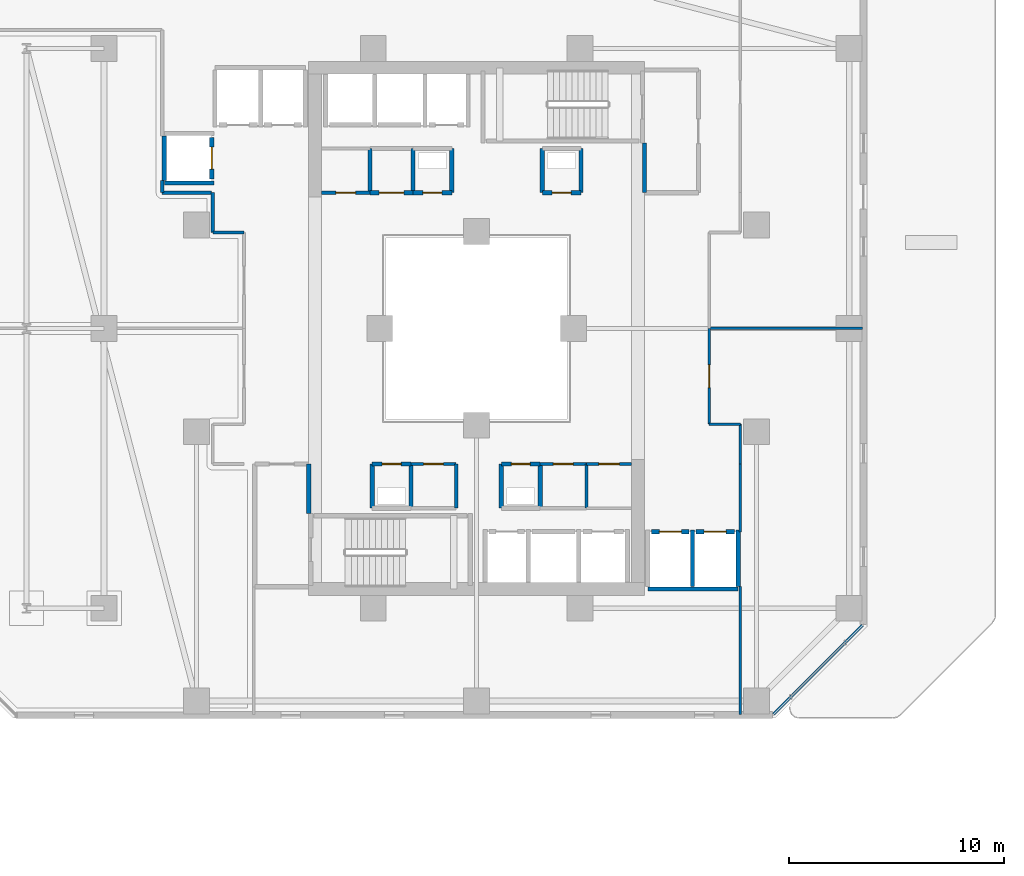
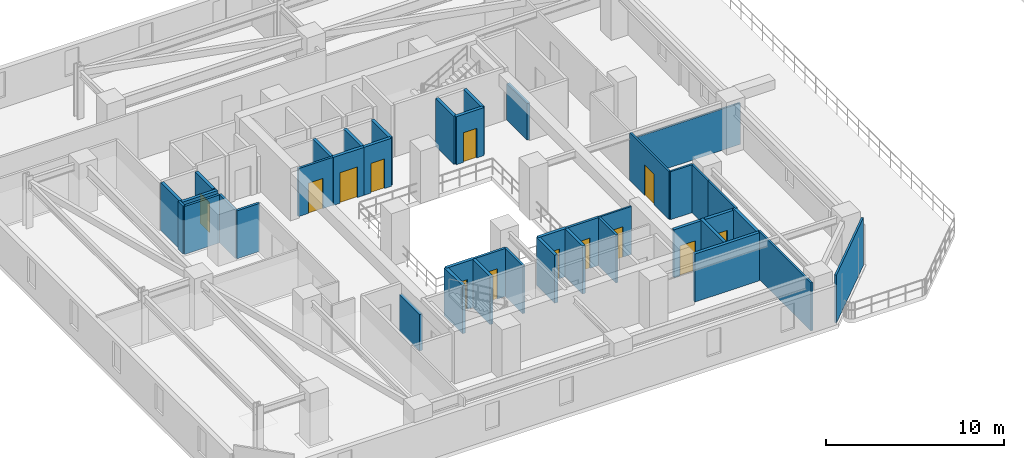
# One storey, part 21 of 33: 41 walls, 13 doors, 13 openings.
"""IFC4 building model written with IfcOpenShell, lengths in metres."""

import ifcopenshell
import ifcopenshell.guid

model = None  # the IFC model being written
_history = None  # IfcOwnerHistory: only IFC2X3 demands one
_inside = {}  # id of a spatial element -> (the spatial element, [elements in it])
_under = {}  # id of a project, library or spatial element -> (it, [spatial elements below it])
_declared = {}  # id of a project -> (the project, [libraries it declares])
_typed = {}  # id of a type object -> (the type object, [elements of that type])
_made_of = {}  # id of a material, layer set ... -> (it, [elements and type objects made of it])


def new_model(schema):
    """Start an empty IFC model of exactly this schema.

    Asked for "IFC4X3", IfcOpenShell would pick the latest addendum, in which some entities
    have other attributes; the version numbers below select the first issue.
    IFC2X3 requires an IfcOwnerHistory on every rooted entity: one is made here for all.
    """
    global model, _history
    if schema == "IFC4X3":
        model = ifcopenshell.file(schema_version=(4, 3, 0, 0))
    else:
        model = ifcopenshell.file(schema=schema)
    _inside.clear()
    _under.clear()
    _declared.clear()
    _typed.clear()
    _made_of.clear()
    _history = None
    if model.schema == "IFC2X3":
        org = make("IfcOrganization", Name="unknown")
        user = make(
            "IfcPersonAndOrganization",
            ThePerson=make("IfcPerson", FamilyName="unknown"),
            TheOrganization=org,
        )
        app = make(
            "IfcApplication",
            ApplicationDeveloper=org,
            Version="unknown",
            ApplicationFullName="unknown",
            ApplicationIdentifier="unknown",
        )
        _history = make(
            "IfcOwnerHistory",
            OwningUser=user,
            OwningApplication=app,
            ChangeAction="ADDED",
            CreationDate=0,
        )
    return model


def make(cls, **values):
    """One entity of the class cls with the attributes given. An attribute that is None is left unset."""
    return model.create_entity(
        cls, **{name: value for name, value in values.items() if value is not None}
    )


def rooted(cls, **values):
    """An entity with a GlobalId (a new one), such as an element, a storey or a relation."""
    return make(cls, GlobalId=ifcopenshell.guid.new(), OwnerHistory=_history, **values)


def si_unit(unit_type, name, prefix=None):
    """IfcSIUnit, for example si_unit("LENGTHUNIT", "METRE", prefix="MILLI")."""
    return make("IfcSIUnit", UnitType=unit_type, Prefix=prefix, Name=name)


def assignment(units):
    """IfcUnitAssignment: the units of a project."""
    return None if units is None else make("IfcUnitAssignment", Units=units)


def point(xyz):
    """IfcCartesianPoint."""
    return None if xyz is None else make("IfcCartesianPoint", Coordinates=xyz)


def direction(xyz):
    """IfcDirection."""
    return None if xyz is None else make("IfcDirection", DirectionRatios=xyz)


def frame(location, z_axis=None, x_axis=None):
    """IfcAxis2Placement3D, a coordinate frame: its origin and axes. An axis left out is left unset."""
    return make(
        "IfcAxis2Placement3D",
        Location=point(location),
        Axis=direction(z_axis),
        RefDirection=direction(x_axis),
    )


def frame_2d(location, x_axis=None):
    """IfcAxis2Placement2D, a coordinate frame in the plane: its origin and x axis."""
    return make(
        "IfcAxis2Placement2D", Location=point(location), RefDirection=direction(x_axis)
    )


def origin():
    """The frame at (0, 0, 0) with its axes left unset."""
    return frame((0.0, 0.0, 0.0))


def place(relative_to, where):
    """IfcLocalPlacement: puts the frame where relative to a parent placement (None: the world)."""
    return make(
        "IfcLocalPlacement", PlacementRelTo=relative_to, RelativePlacement=where
    )


def context(
    kind, dimensions, precision=None, world=None, true_north=None, identifier=None
):
    """IfcGeometricRepresentationContext, for example the 3D "Model" context."""
    return make(
        "IfcGeometricRepresentationContext",
        ContextIdentifier=identifier,
        ContextType=kind,
        CoordinateSpaceDimension=dimensions,
        Precision=precision,
        WorldCoordinateSystem=world,
        TrueNorth=true_north,
    )


def subcontext(parent, identifier, kind, view, scale=None):
    """IfcGeometricRepresentationSubContext, for example "Body" below "Model"."""
    return make(
        "IfcGeometricRepresentationSubContext",
        ContextIdentifier=identifier,
        ContextType=kind,
        ParentContext=parent,
        TargetScale=scale,
        TargetView=view,
    )


def project(units=None, contexts=None):
    """IfcProject with its units and contexts."""
    return rooted(
        "IfcProject",
        Name="project",
        RepresentationContexts=contexts,
        UnitsInContext=assignment(units),
    )


def spatial(cls, under=None, at=None, **own):
    """A site, building, storey or space (cls), placed at a placement, below another one or the project."""
    s = rooted(cls, ObjectPlacement=at, **own)
    if under is not None:
        _under.setdefault(under.id(), (under, []))[1].append(s)
    return s


def profile(cls, at=None, kind="AREA", **sizes):
    """A parametric profile (cls). Its sizes go by their IFC names, for example OverallWidth=200.0."""
    return make(cls, ProfileType=kind, Position=at, **sizes)


def rectangle(**sizes):
    """IfcRectangleProfileDef."""
    return profile("IfcRectangleProfileDef", **sizes)


def extrude(swept, where, along, depth):
    """IfcExtrudedAreaSolid: the profile swept, set in the frame where, extruded along a direction by depth."""
    return make(
        "IfcExtrudedAreaSolid",
        SweptArea=swept,
        Position=where,
        ExtrudedDirection=direction(along),
        Depth=depth,
    )


def shape(context_of_items, identifier, shape_type, items):
    """IfcShapeRepresentation: the items that make up one representation, for example the "Body"."""
    return make(
        "IfcShapeRepresentation",
        ContextOfItems=context_of_items,
        RepresentationIdentifier=identifier,
        RepresentationType=shape_type,
        Items=items,
    )


def material(Name=None, Category=None):
    """IfcMaterial."""
    return make("IfcMaterial", Name=Name, Category=Category)


def layer(
    of_material, thickness, ventilated=None, Name=None, Category=None, Priority=None
):
    """IfcMaterialLayer: one layer of a wall or slab, of a material (None: an air gap)."""
    return make(
        "IfcMaterialLayer",
        Material=of_material,
        LayerThickness=thickness,
        IsVentilated=ventilated,
        Name=Name,
        Category=Category,
        Priority=Priority,
    )


def layer_set(layers, Name=None):
    """IfcMaterialLayerSet."""
    return make("IfcMaterialLayerSet", MaterialLayers=layers, LayerSetName=Name)


def made_of(thing, what):
    """Note that an element or type object is made of a material, layer set ...; save() writes the relation."""
    if what is not None:
        _made_of.setdefault(what.id(), (what, []))[1].append(thing)
    return thing


def type_object(cls, material=None, **own):
    """A type object (cls), such as IfcWallType, which elements share."""
    return made_of(rooted(cls, **own), material)


def element(
    cls,
    number,
    at=None,
    inside=None,
    cuts=None,
    type_object=None,
    material=None,
    context=None,
    identifier="Body",
    shape_type=None,
    held_by="IfcProductDefinitionShape",
    body=None,
    shapes=None,
    **own,
):
    """One element of the class cls, such as IfcWall. Its Tag is "e" and its number.

    at: its placement. inside: the storey or other place that contains it. cuts: it is an
    opening in that element (IfcRelVoidsElement). A single representation is given by context,
    identifier, shape_type and body (its items); several are given by shapes. held_by: the class
    of the entity that holds the representations. save() writes the other relations.
    """
    e = rooted(cls, Tag="e%d" % number, ObjectPlacement=at, **own)
    if body is not None:
        shapes = [shape(context, identifier, shape_type, body)]
    if shapes is not None:
        e.Representation = make(held_by, Representations=shapes)
    if inside is not None:
        _inside.setdefault(inside.id(), (inside, []))[1].append(e)
    if cuts is not None:
        rooted(
            "IfcRelVoidsElement", RelatingBuildingElement=cuts, RelatedOpeningElement=e
        )
    if type_object is not None:
        _typed.setdefault(type_object.id(), (type_object, []))[1].append(e)
    return made_of(e, material)


def fill(opening, filler):
    """IfcRelFillsElement: the door or window that sits in an opening."""
    return rooted(
        "IfcRelFillsElement",
        RelatingOpeningElement=opening,
        RelatedBuildingElement=filler,
    )


def aggregate(whole, parts):
    """IfcRelAggregates: a whole, such as a stair, and the parts it consists of."""
    return rooted("IfcRelAggregates", RelatingObject=whole, RelatedObjects=parts)


def save(model, path):
    """Write the relations noted so far, then the file.

    IfcRelAggregates (storeys below a building ...), IfcRelContainedInSpatialStructure (elements
    in a storey), IfcRelDefinesByType, IfcRelAssociatesMaterial and IfcRelDeclares: one each for
    every whole, place, type object, material and project.
    """
    for whole, parts in _under.values():
        aggregate(whole, parts)
    for where, things in _inside.values():
        rooted(
            "IfcRelContainedInSpatialStructure",
            RelatedElements=things,
            RelatingStructure=where,
        )
    for kind, things in _typed.values():
        rooted("IfcRelDefinesByType", RelatedObjects=things, RelatingType=kind)
    for what, things in _made_of.values():
        rooted("IfcRelAssociatesMaterial", RelatedObjects=things, RelatingMaterial=what)
    for by, libraries in _declared.values():
        rooted("IfcRelDeclares", RelatingContext=by, RelatedDefinitions=libraries)
    model.write(path)


model = new_model("IFC4")

# Units and contexts
model_context = context("Model", 3, precision=1e-05, world=origin(), true_north=direction((0.0, 1.0)))
body_context = subcontext(model_context, "Body", "Model", "MODEL_VIEW")
ifc_project = project(units=[si_unit("LENGTHUNIT", "METRE"), si_unit("AREAUNIT", "SQUARE_METRE"), si_unit("VOLUMEUNIT", "CUBIC_METRE"), si_unit("PLANEANGLEUNIT", "RADIAN"), si_unit("MASSUNIT", "GRAM", prefix="KILO")], contexts=[model_context])

# Site, building, storey
site_placement = place(None, origin())
site = spatial("IfcSite", under=ifc_project, at=site_placement, CompositionType="ELEMENT")
building_placement = place(site_placement, origin())
building = spatial("IfcBuilding", under=site, at=building_placement, Name="Thornwick Lancets Civic Towers", CompositionType="ELEMENT")
storey_placement = place(building_placement, frame((0.0, 0.0, 98.10009765625)))
storey = spatial("IfcBuildingStorey", under=building, at=storey_placement, Name="L25", CompositionType="ELEMENT", Elevation=98.10009765625)

# Wall, opening, door
ifc_material_1 = material(Name="Concrete blockwork C40/50", Category="masonry")
ifc_layer_1 = layer(ifc_material_1, 0.199951171875, Name="Concrete blockwork C40/50")
ifc_layer_set_1 = layer_set([ifc_layer_1], Name="Concrete blockwork C40/50")
wall_type_1 = type_object("IfcWallType", Name="WALL_COMP_200", PredefinedType="STANDARD", material=ifc_layer_set_1)
wall_1_placement = place(storey_placement, frame((33.6298828125, 17.550048828125, 0.0), z_axis=(0.0, 0.0, 1.0), x_axis=(1.0, 0.0, 0.0)))
wall_1 = element("IfcWall", 1, at=wall_1_placement, inside=storey, type_object=wall_type_1, Name="L25 Hoistway Front Wall PL-AL2", PredefinedType="STANDARD", context=body_context, shape_type="SweptSolid", body=[
    extrude(rectangle(XDim=1.740234375, YDim=0.199951171875, at=frame_2d((0.8701171875, 0.0))), origin(), (0.0, 0.0, 1.0), 3.2998046875),
])
opening_1_placement = place(wall_1_placement, frame((0.360107421875, 0.0, 0.0)))
opening_1 = element("IfcOpeningElement", 2, at=opening_1_placement, cuts=wall_1, Name="Opening LD-PL-AL2", PredefinedType="OPENING", context=body_context, shape_type="SweptSolid", body=[
    extrude(rectangle(XDim=1.02001953125, YDim=2.06005859375, at=frame_2d((0.510009765625, 1.030029296875))), frame((0.0, 0.10986328125, 0.0), z_axis=(0.0, -1.0, 0.0), x_axis=(1.0, 0.0, 0.0)), (0.0, 0.0, 1.0), 0.219970703125),
])
ifc_material_2 = material(Name="Brushed bronze stainless steel", Category="steel")
door_type_1 = type_object("IfcDoorType", Name="DOOR_LIFT_SLIDE", OperationType="SLIDING_TO_LEFT", PredefinedType="DOOR", material=ifc_material_2)
door_1_placement = place(opening_1_placement, origin())
door_1 = element("IfcDoor", 3, at=door_1_placement, inside=storey, type_object=door_type_1, Name="L25 Sliding Lift Landing Door LD-PL-AL2", OperationType="SLIDING_TO_LEFT", OverallHeight=2.06005859375, OverallWidth=1.02001953125, PredefinedType="DOOR", context=body_context, shape_type="SweptSolid", body=[
    extrude(rectangle(XDim=1.02001953125, YDim=2.06005859375, at=frame_2d((0.510009765625, 1.030029296875))), frame((0.0, 0.02490234375, 0.0), z_axis=(0.0, -1.0, 0.0), x_axis=(1.0, 0.0, 0.0)), (0.0, 0.0, 1.0), 0.050048828125),
])
fill(opening_1, door_1)

wall_2_placement = place(storey_placement, frame((35.679931640625, 17.550048828125, 0.0), z_axis=(0.0, 0.0, 1.0), x_axis=(1.0, 0.0, 0.0)))
wall_2 = element("IfcWall", 4, at=wall_2_placement, inside=storey, type_object=wall_type_1, Name="L25 Hoistway Front Wall PL-AL3", PredefinedType="STANDARD", context=body_context, shape_type="SweptSolid", body=[
    extrude(rectangle(XDim=1.7900390625, YDim=0.199951171875, at=frame_2d((0.89501953125, 0.0))), origin(), (0.0, 0.0, 1.0), 3.2998046875),
])
opening_2_placement = place(wall_2_placement, frame((0.385009765625, 0.0, 0.0)))
opening_2 = element("IfcOpeningElement", 5, at=opening_2_placement, cuts=wall_2, Name="Opening LD-PL-AL3", PredefinedType="OPENING", context=body_context, shape_type="SweptSolid", body=[
    extrude(rectangle(XDim=1.02001953125, YDim=2.06005859375, at=frame_2d((0.510009765625, 1.030029296875))), frame((0.0, 0.10986328125, 0.0), z_axis=(0.0, -1.0, 0.0), x_axis=(1.0, 0.0, 0.0)), (0.0, 0.0, 1.0), 0.219970703125),
])
door_2_placement = place(opening_2_placement, origin())
door_2 = element("IfcDoor", 6, at=door_2_placement, inside=storey, type_object=door_type_1, Name="L25 Sliding Lift Landing Door LD-PL-AL3", OperationType="SLIDING_TO_LEFT", OverallHeight=2.06005859375, OverallWidth=1.02001953125, PredefinedType="DOOR", context=body_context, shape_type="SweptSolid", body=[
    extrude(rectangle(XDim=1.02001953125, YDim=2.06005859375, at=frame_2d((0.510009765625, 1.030029296875))), frame((0.0, 0.02490234375, 0.0), z_axis=(0.0, -1.0, 0.0), x_axis=(1.0, 0.0, 0.0)), (0.0, 0.0, 1.0), 0.050048828125),
])
fill(opening_2, door_2)

wall_3_placement = place(storey_placement, frame((13.199951171875, 33.929931640625, 0.0), z_axis=(0.0, 0.0, 1.0), x_axis=(0.0, 1.0, 0.0)))
wall_3 = element("IfcWall", 7, at=wall_3_placement, inside=storey, type_object=wall_type_1, Name="L25 Hoistway Front Wall PL-AM3", PredefinedType="STANDARD", context=body_context, shape_type="SweptSolid", body=[
    extrude(rectangle(XDim=1.940185546875, YDim=0.199951171875, at=frame_2d((0.97021484375, 0.0))), origin(), (0.0, 0.0, 1.0), 3.2998046875),
])
opening_3_placement = place(wall_3_placement, frame((0.4599609375, 0.0, 0.0)))
opening_3 = element("IfcOpeningElement", 8, at=opening_3_placement, cuts=wall_3, Name="Opening LD-PL-AM3", PredefinedType="OPENING", context=body_context, shape_type="SweptSolid", body=[
    extrude(rectangle(XDim=1.02001953125, YDim=2.06005859375, at=frame_2d((0.510009765625, 1.030029296875))), frame((0.0, 0.10986328125, 0.0), z_axis=(0.0, -1.0, 0.0), x_axis=(1.0, 0.0, 0.0)), (0.0, 0.0, 1.0), 0.219970703125),
])
door_3_placement = place(opening_3_placement, origin())
door_3 = element("IfcDoor", 9, at=door_3_placement, inside=storey, type_object=door_type_1, Name="L25 Sliding Lift Landing Door LD-PL-AM3", OperationType="SLIDING_TO_LEFT", OverallHeight=2.06005859375, OverallWidth=1.02001953125, PredefinedType="DOOR", context=body_context, shape_type="SweptSolid", body=[
    extrude(rectangle(XDim=1.02001953125, YDim=2.06005859375, at=frame_2d((0.510009765625, 1.030029296875))), frame((0.0, 0.02490234375, 0.0), z_axis=(0.0, -1.0, 0.0), x_axis=(1.0, 0.0, 0.0)), (0.0, 0.0, 1.0), 0.050048828125),
])
fill(opening_3, door_3)

# Walls
wall_4_placement = place(storey_placement, frame((33.451904296875, 14.89990234375, 0.0), z_axis=(0.0, 0.0, 1.0), x_axis=(1.0, 0.0, 0.0)))
element("IfcWall", 10, at=wall_4_placement, inside=storey, type_object=wall_type_1, Name="L25 Hoistway Shaft Wall PL-AL2 S", PredefinedType="STANDARD", context=body_context, shape_type="SweptSolid", body=[
    extrude(rectangle(XDim=4.196044921875, YDim=0.199951171875, at=frame_2d((2.09814453125, 0.0))), origin(), (0.0, 0.0, 1.0), 3.2998046875),
])
for number, where, z_axis, x_axis, name in (
    (11, (35.52490234375, 15.011962890625, 0.0), (0.0, 0.0, 1.0), (0.0, 1.0, 0.0), "L25 Hoistway Shaft Wall PL-AL2 E"),
    (12, (37.64990234375, 15.011962890625, 0.0), (0.0, 0.0, 1.0), (0.0, 1.0, 0.0), "L25 Hoistway Shaft Wall PL-AL3 E"),
):
    element("IfcWall", number, at=place(storey_placement, frame(where, z_axis=z_axis, x_axis=x_axis)), inside=storey, type_object=wall_type_1, Name=name, PredefinedType="STANDARD", context=body_context, shape_type="SweptSolid", body=[
        extrude(rectangle(XDim=2.635986328125, YDim=0.199951171875, at=frame_2d((1.31787109375, 0.0))), origin(), (0.0, 0.0, 1.0), 3.2998046875),
    ])
wall_5_placement = place(storey_placement, frame((11.001953125, 33.75, 0.0), z_axis=(0.0, 0.0, 1.0), x_axis=(1.0, 0.0, 0.0)))
element("IfcWall", 13, at=wall_5_placement, inside=storey, type_object=wall_type_1, Name="L25 Hoistway Shaft Wall PL-AM3 S", PredefinedType="STANDARD", context=body_context, shape_type="SweptSolid", body=[
    extrude(rectangle(XDim=2.296142578125, YDim=0.199951171875, at=frame_2d((1.14794921875, 0.0))), origin(), (0.0, 0.0, 1.0), 3.2998046875),
])
wall_6_placement = place(storey_placement, frame((11.0, 33.862060546875, 0.0), z_axis=(0.0, 0.0, 1.0), x_axis=(0.0, 1.0, 0.0)))
element("IfcWall", 14, at=wall_6_placement, inside=storey, type_object=wall_type_1, Name="L25 Hoistway Shaft Wall PL-AM3 W", PredefinedType="STANDARD", context=body_context, shape_type="SweptSolid", body=[
    extrude(rectangle(XDim=2.075927734375, YDim=0.199951171875, at=frame_2d((1.0380859375, 0.0))), origin(), (0.0, 0.0, 1.0), 3.2998046875),
])
for number, where, z_axis, x_axis, name in (
    (15, (17.699951171875, 18.39990234375, 0.0), (0.0, 0.0, 1.0), (0.0, 1.0, 0.0), "L25 Partition L25-A-FFLOB1 E2"),
    (16, (33.300048828125, 35.60009765625, 0.0), (0.0, 0.0, 1.0), (0.0, -1.0, 0.0), "L25 Partition L25-A-FFLOB2 E4"),
):
    element("IfcWall", number, at=place(storey_placement, frame(where, z_axis=z_axis, x_axis=x_axis)), inside=storey, type_object=wall_type_1, Name=name, PredefinedType="STANDARD", context=body_context, shape_type="SweptSolid", body=[
        extrude(rectangle(XDim=2.300048828125, YDim=0.199951171875, at=frame_2d((1.14990234375, 0.0))), origin(), (0.0, 0.0, 1.0), 2.5048828125),
    ])
wall_7_placement = place(storey_placement, frame((28.449951171875, 18.64990234375, 0.0), z_axis=(0.0, 0.0, 1.0), x_axis=(0.0, 1.0, 0.0)))
element("IfcWall", 17, at=wall_7_placement, inside=storey, type_object=wall_type_1, Name="L25 Partition L25-A-DUCT1 E2", PredefinedType="STANDARD", context=body_context, shape_type="SweptSolid", body=[
    extrude(rectangle(XDim=2.050048828125, YDim=0.199951171875, at=frame_2d((1.02490234375, 0.0))), origin(), (0.0, 0.0, 1.0), 3.2998046875),
])

# Wall, opening, door
wall_8_placement = place(storey_placement, frame((28.449951171875, 20.699951171875, 0.0), z_axis=(0.0, 0.0, 1.0), x_axis=(-1.0, 0.0, 0.0)))
wall_8 = element("IfcWall", 18, at=wall_8_placement, inside=storey, type_object=wall_type_1, Name="L25 Partition L25-A-DUCT1 E3", PredefinedType="STANDARD", context=body_context, shape_type="SweptSolid", body=[
    extrude(rectangle(XDim=1.800048828125, YDim=0.199951171875, at=frame_2d((0.89990234375, 0.0))), origin(), (0.0, 0.0, 1.0), 3.2998046875),
])
opening_4_placement = place(wall_8_placement, frame((0.4599609375, 0.0, 0.0)))
opening_4 = element("IfcOpeningElement", 19, at=opening_4_placement, cuts=wall_8, Name="Opening D-L25-1157", PredefinedType="OPENING", context=body_context, shape_type="SweptSolid", body=[
    extrude(rectangle(XDim=0.8798828125, YDim=2.0400390625, at=frame_2d((0.43994140625, 1.02001953125))), frame((0.0, 0.10986328125, 0.0), z_axis=(0.0, -1.0, 0.0), x_axis=(1.0, 0.0, 0.0)), (0.0, 0.0, 1.0), 0.219970703125),
])
ifc_material_3 = material(Name="Steel riser access doorset", Category="steel")
door_type_2 = type_object("IfcDoorType", Name="DOOR_RISER_850", OperationType="NOTDEFINED", PredefinedType="DOOR", material=ifc_material_3)
door_4_placement = place(opening_4_placement, origin())
door_4 = element("IfcDoor", 20, at=door_4_placement, inside=storey, type_object=door_type_2, Name="L25 South Service Duct 1 Door", OperationType="SINGLE_SWING_RIGHT", OverallHeight=2.0400390625, OverallWidth=0.8798828125, PredefinedType="DOOR", context=body_context, shape_type="SweptSolid", body=[
    extrude(rectangle(XDim=0.8798828125, YDim=2.0400390625, at=frame_2d((0.43994140625, 1.02001953125))), frame((0.0, 0.02490234375, 0.0), z_axis=(0.0, -1.0, 0.0), x_axis=(1.0, 0.0, 0.0)), (0.0, 0.0, 1.0), 0.050048828125),
])
fill(opening_4, door_4)

# Walls
for number, where, z_axis, x_axis, name in (
    (21, (26.64990234375, 20.699951171875, 0.0), (0.0, 0.0, 1.0), (0.0, -1.0, 0.0), "L25 Partition L25-A-DUCT1 E4"),
    (22, (22.449951171875, 18.64990234375, 0.0), (0.0, 0.0, 1.0), (0.0, 1.0, 0.0), "L25 Partition L25-A-RISER1 E2"),
):
    element("IfcWall", number, at=place(storey_placement, frame(where, z_axis=z_axis, x_axis=x_axis)), inside=storey, type_object=wall_type_1, Name=name, PredefinedType="STANDARD", context=body_context, shape_type="SweptSolid", body=[
        extrude(rectangle(XDim=2.050048828125, YDim=0.199951171875, at=frame_2d((1.02490234375, 0.0))), origin(), (0.0, 0.0, 1.0), 3.2998046875),
    ])

# Wall, opening, door
wall_9_placement = place(storey_placement, frame((22.449951171875, 20.699951171875, 0.0), z_axis=(0.0, 0.0, 1.0), x_axis=(-1.0, 0.0, 0.0)))
wall_9 = element("IfcWall", 23, at=wall_9_placement, inside=storey, type_object=wall_type_1, Name="L25 Partition L25-A-RISER1 E3", PredefinedType="STANDARD", context=body_context, shape_type="SweptSolid", body=[
    extrude(rectangle(XDim=1.800048828125, YDim=0.199951171875, at=frame_2d((0.89990234375, 0.0))), origin(), (0.0, 0.0, 1.0), 3.2998046875),
])
opening_5_placement = place(wall_9_placement, frame((0.4599609375, 0.0, 0.0)))
opening_5 = element("IfcOpeningElement", 24, at=opening_5_placement, cuts=wall_9, Name="Opening D-L25-1158", PredefinedType="OPENING", context=body_context, shape_type="SweptSolid", body=[
    extrude(rectangle(XDim=0.8798828125, YDim=2.0400390625, at=frame_2d((0.43994140625, 1.02001953125))), frame((0.0, 0.10986328125, 0.0), z_axis=(0.0, -1.0, 0.0), x_axis=(1.0, 0.0, 0.0)), (0.0, 0.0, 1.0), 0.219970703125),
])
door_5_placement = place(opening_5_placement, origin())
door_5 = element("IfcDoor", 25, at=door_5_placement, inside=storey, type_object=door_type_2, Name="L25 South Electrical Riser 1 Door", OperationType="SINGLE_SWING_LEFT", OverallHeight=2.0400390625, OverallWidth=0.8798828125, PredefinedType="DOOR", context=body_context, shape_type="SweptSolid", body=[
    extrude(rectangle(XDim=0.8798828125, YDim=2.0400390625, at=frame_2d((0.43994140625, 1.02001953125))), frame((0.0, 0.02490234375, 0.0), z_axis=(0.0, -1.0, 0.0), x_axis=(1.0, 0.0, 0.0)), (0.0, 0.0, 1.0), 0.050048828125),
])
fill(opening_5, door_5)

# Wall
wall_10_placement = place(storey_placement, frame((20.64990234375, 20.699951171875, 0.0), z_axis=(0.0, 0.0, 1.0), x_axis=(0.0, -1.0, 0.0)))
element("IfcWall", 26, at=wall_10_placement, inside=storey, type_object=wall_type_1, Name="L25 Partition L25-A-RISER1 E4", PredefinedType="STANDARD", context=body_context, shape_type="SweptSolid", body=[
    extrude(rectangle(XDim=2.050048828125, YDim=0.199951171875, at=frame_2d((1.02490234375, 0.0))), origin(), (0.0, 0.0, 1.0), 3.2998046875),
])

# Wall, opening, door
wall_11_placement = place(storey_placement, frame((22.550048828125, 33.300048828125, 0.0), z_axis=(0.0, 0.0, 1.0), x_axis=(1.0, 0.0, 0.0)))
wall_11 = element("IfcWall", 27, at=wall_11_placement, inside=storey, type_object=wall_type_1, Name="L25 Partition L25-A-DUCT2 E1", PredefinedType="STANDARD", context=body_context, shape_type="SweptSolid", body=[
    extrude(rectangle(XDim=1.800048828125, YDim=0.199951171875, at=frame_2d((0.89990234375, 0.0))), origin(), (0.0, 0.0, 1.0), 3.2998046875),
])
opening_6_placement = place(wall_11_placement, frame((0.4599609375, 0.0, 0.0)))
opening_6 = element("IfcOpeningElement", 28, at=opening_6_placement, cuts=wall_11, Name="Opening D-L25-1159", PredefinedType="OPENING", context=body_context, shape_type="SweptSolid", body=[
    extrude(rectangle(XDim=0.8798828125, YDim=2.0400390625, at=frame_2d((0.43994140625, 1.02001953125))), frame((0.0, 0.10986328125, 0.0), z_axis=(0.0, -1.0, 0.0), x_axis=(1.0, 0.0, 0.0)), (0.0, 0.0, 1.0), 0.219970703125),
])
door_6_placement = place(opening_6_placement, origin())
door_6 = element("IfcDoor", 29, at=door_6_placement, inside=storey, type_object=door_type_2, Name="L25 North Service Duct 2 Door", OperationType="SINGLE_SWING_RIGHT", OverallHeight=2.0400390625, OverallWidth=0.8798828125, PredefinedType="DOOR", context=body_context, shape_type="SweptSolid", body=[
    extrude(rectangle(XDim=0.8798828125, YDim=2.0400390625, at=frame_2d((0.43994140625, 1.02001953125))), frame((0.0, 0.02490234375, 0.0), z_axis=(0.0, -1.0, 0.0), x_axis=(1.0, 0.0, 0.0)), (0.0, 0.0, 1.0), 0.050048828125),
])
fill(opening_6, door_6)

# Walls
for number, where, z_axis, x_axis, name in (
    (30, (24.35009765625, 33.300048828125, 0.0), (0.0, 0.0, 1.0), (0.0, 1.0, 0.0), "L25 Partition L25-A-DUCT2 E2"),
    (31, (22.550048828125, 35.35009765625, 0.0), (0.0, 0.0, 1.0), (0.0, -1.0, 0.0), "L25 Partition L25-A-DUCT2 E4"),
):
    element("IfcWall", number, at=place(storey_placement, frame(where, z_axis=z_axis, x_axis=x_axis)), inside=storey, type_object=wall_type_1, Name=name, PredefinedType="STANDARD", context=body_context, shape_type="SweptSolid", body=[
        extrude(rectangle(XDim=2.050048828125, YDim=0.199951171875, at=frame_2d((1.02490234375, 0.0))), origin(), (0.0, 0.0, 1.0), 3.2998046875),
    ])

# Wall, opening, door
wall_12_placement = place(storey_placement, frame((28.550048828125, 33.300048828125, 0.0), z_axis=(0.0, 0.0, 1.0), x_axis=(1.0, 0.0, 0.0)))
wall_12 = element("IfcWall", 32, at=wall_12_placement, inside=storey, type_object=wall_type_1, Name="L25 Partition L25-A-RISER2 E1", PredefinedType="STANDARD", context=body_context, shape_type="SweptSolid", body=[
    extrude(rectangle(XDim=1.800048828125, YDim=0.199951171875, at=frame_2d((0.89990234375, 0.0))), origin(), (0.0, 0.0, 1.0), 3.2998046875),
])
opening_7_placement = place(wall_12_placement, frame((0.4599609375, 0.0, 0.0)))
opening_7 = element("IfcOpeningElement", 33, at=opening_7_placement, cuts=wall_12, Name="Opening D-L25-1160", PredefinedType="OPENING", context=body_context, shape_type="SweptSolid", body=[
    extrude(rectangle(XDim=0.8798828125, YDim=2.0400390625, at=frame_2d((0.43994140625, 1.02001953125))), frame((0.0, 0.10986328125, 0.0), z_axis=(0.0, -1.0, 0.0), x_axis=(1.0, 0.0, 0.0)), (0.0, 0.0, 1.0), 0.219970703125),
])
door_7_placement = place(opening_7_placement, origin())
door_7 = element("IfcDoor", 34, at=door_7_placement, inside=storey, type_object=door_type_2, Name="L25 North Service Riser 2 Door", OperationType="SINGLE_SWING_LEFT", OverallHeight=2.0400390625, OverallWidth=0.8798828125, PredefinedType="DOOR", context=body_context, shape_type="SweptSolid", body=[
    extrude(rectangle(XDim=0.8798828125, YDim=2.0400390625, at=frame_2d((0.43994140625, 1.02001953125))), frame((0.0, 0.02490234375, 0.0), z_axis=(0.0, -1.0, 0.0), x_axis=(1.0, 0.0, 0.0)), (0.0, 0.0, 1.0), 0.050048828125),
])
fill(opening_7, door_7)

# Walls
for number, where, z_axis, x_axis, name in (
    (35, (30.35009765625, 33.300048828125, 0.0), (0.0, 0.0, 1.0), (0.0, 1.0, 0.0), "L25 Partition L25-A-RISER2 E2"),
    (36, (28.550048828125, 35.35009765625, 0.0), (0.0, 0.0, 1.0), (0.0, -1.0, 0.0), "L25 Partition L25-A-RISER2 E4"),
    (37, (20.550048828125, 33.300048828125, 0.0), (0.0, 0.0, 1.0), (0.0, 1.0, 0.0), "L25 Partition L25-A-STR E1"),
):
    element("IfcWall", number, at=place(storey_placement, frame(where, z_axis=z_axis, x_axis=x_axis)), inside=storey, type_object=wall_type_1, Name=name, PredefinedType="STANDARD", context=body_context, shape_type="SweptSolid", body=[
        extrude(rectangle(XDim=2.050048828125, YDim=0.199951171875, at=frame_2d((1.02490234375, 0.0))), origin(), (0.0, 0.0, 1.0), 3.2998046875),
    ])

# Wall, opening, door
wall_13_placement = place(storey_placement, frame((22.550048828125, 33.300048828125, 0.0), z_axis=(0.0, 0.0, 1.0), x_axis=(-1.0, 0.0, 0.0)))
wall_13 = element("IfcWall", 38, at=wall_13_placement, inside=storey, type_object=wall_type_1, Name="L25 Partition L25-A-STR E4", PredefinedType="STANDARD", context=body_context, shape_type="SweptSolid", body=[
    extrude(rectangle(XDim=2.0, YDim=0.199951171875, at=frame_2d((1.0, 0.0))), origin(), (0.0, 0.0, 1.0), 3.2998046875),
])
opening_8_placement = place(wall_13_placement, frame((0.425048828125, 0.0, 0.0)))
opening_8 = element("IfcOpeningElement", 39, at=opening_8_placement, cuts=wall_13, Name="Opening D-L25-1165", PredefinedType="OPENING", context=body_context, shape_type="SweptSolid", body=[
    extrude(rectangle(XDim=1.14990234375, YDim=2.10009765625, at=frame_2d((0.574951171875, 1.050048828125))), frame((0.0, 0.10986328125, 0.0), z_axis=(0.0, -1.0, 0.0), x_axis=(1.0, 0.0, 0.0)), (0.0, 0.0, 1.0), 0.219970703125),
])
ifc_material_4 = material(Name="Glazed fire-resisting steel", Category="steel")
door_type_3 = type_object("IfcDoorType", Name="DOOR_LOBBY_FD60", OperationType="NOTDEFINED", PredefinedType="DOOR", material=ifc_material_4)
door_8_placement = place(opening_8_placement, origin())
door_8 = element("IfcDoor", 40, at=door_8_placement, inside=storey, type_object=door_type_3, Name="L25 Tower A Core Records Store Door", OperationType="SINGLE_SWING_RIGHT", OverallHeight=2.10009765625, OverallWidth=1.14990234375, PredefinedType="DOOR", context=body_context, shape_type="SweptSolid", body=[
    extrude(rectangle(XDim=1.14990234375, YDim=2.10009765625, at=frame_2d((0.574951171875, 1.050048828125))), frame((0.0, 0.02490234375, 0.0), z_axis=(0.0, -1.0, 0.0), x_axis=(1.0, 0.0, 0.0)), (0.0, 0.0, 1.0), 0.050048828125),
])
fill(opening_8, door_8)

ifc_material_5 = material(Name="Acoustic gypsum board partition")
ifc_layer_2 = layer(ifc_material_5, 0.1201171875, Name="Acoustic gypsum board partition")
ifc_layer_set_2 = layer_set([ifc_layer_2], Name="Acoustic gypsum board partition")
wall_type_2 = type_object("IfcWallType", Name="WALL_PART_120", PredefinedType="PARTITIONING", material=ifc_layer_set_2)
wall_14_placement = place(storey_placement, frame((30.60009765625, 20.699951171875, 0.0), z_axis=(0.0, 0.0, 1.0), x_axis=(1.0, 0.0, 0.0)))
wall_14 = element("IfcWall", 41, at=wall_14_placement, inside=storey, type_object=wall_type_2, Name="L25 Partition L25-A-ITR E4", PredefinedType="PARTITIONING", context=body_context, shape_type="SweptSolid", body=[
    extrude(rectangle(XDim=2.099853515625, YDim=0.1201171875, at=frame_2d((1.0498046875, 0.0))), origin(), (0.0, 0.0, 1.0), 3.2998046875),
])
opening_9_placement = place(wall_14_placement, frame((0.574951171875, 0.0, 0.0)))
opening_9 = element("IfcOpeningElement", 42, at=opening_9_placement, cuts=wall_14, Name="Opening D-L25-1163", PredefinedType="OPENING", context=body_context, shape_type="SweptSolid", body=[
    extrude(rectangle(XDim=0.949951171875, YDim=2.10009765625, at=frame_2d((0.47509765625, 1.050048828125))), frame((0.0, 0.070068359375, 0.0), z_axis=(0.0, -1.0, 0.0), x_axis=(1.0, 0.0, 0.0)), (0.0, 0.0, 1.0), 0.14013671875),
])
ifc_material_6 = material(Name="European oak acoustic doorset")
door_type_4 = type_object("IfcDoorType", Name="DOOR_OFFICE_950", OperationType="NOTDEFINED", PredefinedType="DOOR", material=ifc_material_6)
door_9_placement = place(opening_9_placement, origin())
door_9 = element("IfcDoor", 43, at=door_9_placement, inside=storey, type_object=door_type_4, Name="L25 Tower A Comms Patch Room Door", OperationType="SINGLE_SWING_RIGHT", OverallHeight=2.10009765625, OverallWidth=0.949951171875, PredefinedType="DOOR", context=body_context, shape_type="SweptSolid", body=[
    extrude(rectangle(XDim=0.949951171875, YDim=2.10009765625, at=frame_2d((0.47509765625, 1.050048828125))), frame((0.0, 0.02490234375, 0.0), z_axis=(0.0, -1.0, 0.0), x_axis=(1.0, 0.0, 0.0)), (0.0, 0.0, 1.0), 0.050048828125),
])
fill(opening_9, door_9)

# Walls
wall_15_placement = place(storey_placement, frame((37.75, 17.550048828125, 0.0), z_axis=(0.0, 0.0, 1.0), x_axis=(0.0, 1.0, 0.0)))
element("IfcWall", 44, at=wall_15_placement, inside=storey, type_object=wall_type_2, Name="L25 Partition L25-A-E1 E1", PredefinedType="PARTITIONING", context=body_context, shape_type="SweptSolid", body=[
    extrude(rectangle(XDim=3.14990234375, YDim=0.1201171875, at=frame_2d((1.574951171875, 0.0))), origin(), (0.0, 0.0, 1.0), 3.2998046875),
])
wall_16_placement = place(storey_placement, frame((37.75, 20.699951171875, 0.0), z_axis=(0.0, 0.0, 1.0), x_axis=(0.0, 1.0, 0.0)))
element("IfcWall", 45, at=wall_16_placement, inside=storey, type_object=wall_type_2, Name="L25 Partition L25-A-E1 E2", PredefinedType="PARTITIONING", context=body_context, shape_type="SweptSolid", body=[
    extrude(rectangle(XDim=1.85009765625, YDim=0.1201171875, at=frame_2d((0.925048828125, 0.0))), origin(), (0.0, 0.0, 1.0), 3.2998046875),
])
wall_17_placement = place(storey_placement, frame((37.75, 22.550048828125, 0.0), z_axis=(0.0, 0.0, 1.0), x_axis=(-1.0, 0.0, 0.0)))
element("IfcWall", 46, at=wall_17_placement, inside=storey, type_object=wall_type_2, Name="L25 Partition L25-A-E1 E3", PredefinedType="PARTITIONING", context=body_context, shape_type="SweptSolid", body=[
    extrude(rectangle(XDim=1.449951171875, YDim=0.1201171875, at=frame_2d((0.72509765625, 0.0))), origin(), (0.0, 0.0, 1.0), 3.2998046875),
])

# Wall, opening, door
wall_18_placement = place(storey_placement, frame((36.300048828125, 22.550048828125, 0.0), z_axis=(0.0, 0.0, 1.0), x_axis=(0.0, 1.0, 0.0)))
wall_18 = element("IfcWall", 47, at=wall_18_placement, inside=storey, type_object=wall_type_2, Name="L25 Partition L25-A-E1 E4", PredefinedType="PARTITIONING", context=body_context, shape_type="SweptSolid", body=[
    extrude(rectangle(XDim=4.449951171875, YDim=0.1201171875, at=frame_2d((2.22509765625, 0.0))), origin(), (0.0, 0.0, 1.0), 3.2998046875),
])
opening_10_placement = place(wall_18_placement, frame((1.699951171875, 0.0, 0.0)))
opening_10 = element("IfcOpeningElement", 48, at=opening_10_placement, cuts=wall_18, Name="Opening D-L25-1179", PredefinedType="OPENING", context=body_context, shape_type="SweptSolid", body=[
    extrude(rectangle(XDim=1.050048828125, YDim=2.10009765625, at=frame_2d((0.52490234375, 1.050048828125))), frame((0.0, 0.070068359375, 0.0), z_axis=(0.0, -1.0, 0.0), x_axis=(1.0, 0.0, 0.0)), (0.0, 0.0, 1.0), 0.14013671875),
])
ifc_material_7 = material(Name="Glazed European oak executive doorset")
door_type_5 = type_object("IfcDoorType", Name="DOOR_OFFICE_1050", OperationType="NOTDEFINED", PredefinedType="DOOR", material=ifc_material_7)
door_10_placement = place(opening_10_placement, origin())
door_10 = element("IfcDoor", 49, at=door_10_placement, inside=storey, type_object=door_type_5, Name="L25 Tower A Secretariat Open Office E1 Door", OperationType="SINGLE_SWING_RIGHT", OverallHeight=2.10009765625, OverallWidth=1.050048828125, PredefinedType="DOOR", context=body_context, shape_type="SweptSolid", body=[
    extrude(rectangle(XDim=1.050048828125, YDim=2.10009765625, at=frame_2d((0.52490234375, 1.050048828125))), frame((0.0, 0.02490234375, 0.0), z_axis=(0.0, -1.0, 0.0), x_axis=(1.0, 0.0, 0.0)), (0.0, 0.0, 1.0), 0.050048828125),
])
fill(opening_10, door_10)

# Walls
wall_19_placement = place(storey_placement, frame((36.300048828125, 27.0, 0.0), z_axis=(0.0, 0.0, 1.0), x_axis=(1.0, 0.0, 0.0)))
element("IfcWall", 50, at=wall_19_placement, inside=storey, type_object=wall_type_2, Name="L25 Partition L25-A-E1 E5", PredefinedType="PARTITIONING", context=body_context, shape_type="SweptSolid", body=[
    extrude(rectangle(XDim=7.119873046875, YDim=0.1201171875, at=frame_2d((3.56005859375, 0.0))), origin(), (0.0, 0.0, 1.0), 2.837646484375),
])
wall_20_placement = place(storey_placement, frame((43.419921875, 13.210693359375, 0.0), z_axis=(0.0, 0.0, 1.0), x_axis=(-0.707106781187, -0.707106781187, 0.0)))
element("IfcWall", 51, at=wall_20_placement, inside=storey, type_object=wall_type_2, Name="L25 Partition L25-A-E1 E7", PredefinedType="PARTITIONING", context=body_context, shape_type="SweptSolid", body=[
    extrude(rectangle(XDim=5.841552734375, YDim=0.1201171875, at=frame_2d((2.9208984375, 0.0))), origin(), (0.0, 0.0, 1.0), 3.2998046875),
])
wall_21_placement = place(storey_placement, frame((37.75, 9.080078125, 0.0), z_axis=(0.0, 0.0, 1.0), x_axis=(0.0, 1.0, 0.0)))
element("IfcWall", 52, at=wall_21_placement, inside=storey, type_object=wall_type_2, Name="L25 Partition L25-A-E1 E9", PredefinedType="PARTITIONING", context=body_context, shape_type="SweptSolid", body=[
    extrude(rectangle(XDim=5.931884765625, YDim=0.1201171875, at=frame_2d((2.9658203125, 0.0))), origin(), (0.0, 0.0, 1.0), 3.2998046875),
])
ifc_material_8 = material(Name="Twin-stud acoustic gypsum board")
ifc_layer_3 = layer(ifc_material_8, 0.14990234375, Name="Twin-stud acoustic gypsum board")
ifc_layer_set_3 = layer_set([ifc_layer_3], Name="Twin-stud acoustic gypsum board")
wall_type_3 = type_object("IfcWallType", Name="WALL_PART_150", PredefinedType="PARTITIONING", material=ifc_layer_set_3)
wall_22_placement = place(storey_placement, frame((24.550048828125, 20.699951171875, 0.0), z_axis=(0.0, 0.0, 1.0), x_axis=(0.0, -1.0, 0.0)))
element("IfcWall", 53, at=wall_22_placement, inside=storey, type_object=wall_type_3, Name="L25 Partition L25-A-MWC E1", PredefinedType="PARTITIONING", context=body_context, shape_type="SweptSolid", body=[
    extrude(rectangle(XDim=2.050048828125, YDim=0.14990234375, at=frame_2d((1.02490234375, 0.0))), origin(), (0.0, 0.0, 1.0), 3.2998046875),
])

# Wall, opening, door
wall_23_placement = place(storey_placement, frame((22.449951171875, 20.699951171875, 0.0), z_axis=(0.0, 0.0, 1.0), x_axis=(1.0, 0.0, 0.0)))
wall_23 = element("IfcWall", 54, at=wall_23_placement, inside=storey, type_object=wall_type_3, Name="L25 Partition L25-A-MWC E4", PredefinedType="PARTITIONING", context=body_context, shape_type="SweptSolid", body=[
    extrude(rectangle(XDim=2.10009765625, YDim=0.14990234375, at=frame_2d((1.050048828125, 0.0))), origin(), (0.0, 0.0, 1.0), 3.2998046875),
])
opening_11_placement = place(wall_23_placement, frame((0.590087890625, 0.0, 0.0)))
opening_11 = element("IfcOpeningElement", 55, at=opening_11_placement, cuts=wall_23, Name="Opening D-L25-1161", PredefinedType="OPENING", context=body_context, shape_type="SweptSolid", body=[
    extrude(rectangle(XDim=0.919921875, YDim=2.080078125, at=frame_2d((0.4599609375, 1.0400390625))), frame((0.0, 0.0849609375, 0.0), z_axis=(0.0, -1.0, 0.0), x_axis=(1.0, 0.0, 0.0)), (0.0, 0.0, 1.0), 0.169921875),
])
ifc_material_9 = material(Name="Moisture-resistant oak doorset")
door_type_6 = type_object("IfcDoorType", Name="DOOR_WC_900", OperationType="NOTDEFINED", PredefinedType="DOOR", material=ifc_material_9)
door_11_placement = place(opening_11_placement, origin())
door_11 = element("IfcDoor", 56, at=door_11_placement, inside=storey, type_object=door_type_6, Name="L25 Tower A Male WC Door", OperationType="SINGLE_SWING_RIGHT", OverallHeight=2.080078125, OverallWidth=0.919921875, PredefinedType="DOOR", context=body_context, shape_type="SweptSolid", body=[
    extrude(rectangle(XDim=0.919921875, YDim=2.080078125, at=frame_2d((0.4599609375, 1.0400390625))), frame((0.0, 0.02490234375, 0.0), z_axis=(0.0, -1.0, 0.0), x_axis=(1.0, 0.0, 0.0)), (0.0, 0.0, 1.0), 0.050048828125),
])
fill(opening_11, door_11)

# Wall
wall_24_placement = place(storey_placement, frame((30.60009765625, 20.699951171875, 0.0), z_axis=(0.0, 0.0, 1.0), x_axis=(0.0, -1.0, 0.0)))
element("IfcWall", 57, at=wall_24_placement, inside=storey, type_object=wall_type_3, Name="L25 Partition L25-A-FWC E1", PredefinedType="PARTITIONING", context=body_context, shape_type="SweptSolid", body=[
    extrude(rectangle(XDim=2.050048828125, YDim=0.14990234375, at=frame_2d((1.02490234375, 0.0))), origin(), (0.0, 0.0, 1.0), 3.2998046875),
])

# Wall, opening, door
wall_25_placement = place(storey_placement, frame((28.449951171875, 20.699951171875, 0.0), z_axis=(0.0, 0.0, 1.0), x_axis=(1.0, 0.0, 0.0)))
wall_25 = element("IfcWall", 58, at=wall_25_placement, inside=storey, type_object=wall_type_3, Name="L25 Partition L25-A-FWC E4", PredefinedType="PARTITIONING", context=body_context, shape_type="SweptSolid", body=[
    extrude(rectangle(XDim=2.150146484375, YDim=0.14990234375, at=frame_2d((1.0751953125, 0.0))), origin(), (0.0, 0.0, 1.0), 3.2998046875),
])
opening_12_placement = place(wall_25_placement, frame((0.614990234375, 0.0, 0.0)))
opening_12 = element("IfcOpeningElement", 59, at=opening_12_placement, cuts=wall_25, Name="Opening D-L25-1162", PredefinedType="OPENING", context=body_context, shape_type="SweptSolid", body=[
    extrude(rectangle(XDim=0.919921875, YDim=2.080078125, at=frame_2d((0.4599609375, 1.0400390625))), frame((0.0, 0.0849609375, 0.0), z_axis=(0.0, -1.0, 0.0), x_axis=(1.0, 0.0, 0.0)), (0.0, 0.0, 1.0), 0.169921875),
])
door_12_placement = place(opening_12_placement, origin())
door_12 = element("IfcDoor", 60, at=door_12_placement, inside=storey, type_object=door_type_6, Name="L25 Tower A Female WC Door", OperationType="SINGLE_SWING_LEFT", OverallHeight=2.080078125, OverallWidth=0.919921875, PredefinedType="DOOR", context=body_context, shape_type="SweptSolid", body=[
    extrude(rectangle(XDim=0.919921875, YDim=2.080078125, at=frame_2d((0.4599609375, 1.0400390625))), frame((0.0, 0.02490234375, 0.0), z_axis=(0.0, -1.0, 0.0), x_axis=(1.0, 0.0, 0.0)), (0.0, 0.0, 1.0), 0.050048828125),
])
fill(opening_12, door_12)

wall_26_placement = place(storey_placement, frame((18.300048828125, 33.300048828125, 0.0), z_axis=(0.0, 0.0, 1.0), x_axis=(1.0, 0.0, 0.0)))
wall_26 = element("IfcWall", 61, at=wall_26_placement, inside=storey, type_object=wall_type_3, Name="L25 Partition L25-A-AWC E1", PredefinedType="PARTITIONING", context=body_context, shape_type="SweptSolid", body=[
    extrude(rectangle(XDim=2.25, YDim=0.14990234375, at=frame_2d((1.125, 0.0))), origin(), (0.0, 0.0, 1.0), 3.2998046875),
])
opening_13_placement = place(wall_26_placement, frame((0.6650390625, 0.0, 0.0)))
opening_13 = element("IfcOpeningElement", 62, at=opening_13_placement, cuts=wall_26, Name="Opening D-L25-1164", PredefinedType="OPENING", context=body_context, shape_type="SweptSolid", body=[
    extrude(rectangle(XDim=0.919921875, YDim=2.080078125, at=frame_2d((0.4599609375, 1.0400390625))), frame((0.0, 0.0849609375, 0.0), z_axis=(0.0, -1.0, 0.0), x_axis=(1.0, 0.0, 0.0)), (0.0, 0.0, 1.0), 0.169921875),
])
door_13_placement = place(opening_13_placement, origin())
door_13 = element("IfcDoor", 63, at=door_13_placement, inside=storey, type_object=door_type_6, Name="L25 Tower A Accessible WC Door", OperationType="SINGLE_SWING_LEFT", OverallHeight=2.080078125, OverallWidth=0.919921875, PredefinedType="DOOR", context=body_context, shape_type="SweptSolid", body=[
    extrude(rectangle(XDim=0.919921875, YDim=2.080078125, at=frame_2d((0.4599609375, 1.0400390625))), frame((0.0, 0.02490234375, 0.0), z_axis=(0.0, -1.0, 0.0), x_axis=(1.0, 0.0, 0.0)), (0.0, 0.0, 1.0), 0.050048828125),
])
fill(opening_13, door_13)

# Walls
wall_27_placement = place(storey_placement, frame((10.89990234375, 33.862060546875, 0.0), z_axis=(0.0, 0.0, 1.0), x_axis=(0.0, -1.0, 0.0)))
element("IfcWall", 64, at=wall_27_placement, inside=storey, type_object=wall_type_3, Name="L25 Partition L25-A-W2 E1", PredefinedType="PARTITIONING", context=body_context, shape_type="SweptSolid", body=[
    extrude(rectangle(XDim=0.56201171875, YDim=0.14990234375, at=frame_2d((0.281005859375, 0.0))), origin(), (0.0, 0.0, 1.0), 3.2998046875),
])
wall_28_placement = place(storey_placement, frame((10.89990234375, 33.300048828125, 0.0), z_axis=(0.0, 0.0, 1.0), x_axis=(1.0, 0.0, 0.0)))
element("IfcWall", 65, at=wall_28_placement, inside=storey, type_object=wall_type_3, Name="L25 Partition L25-A-W2 E2", PredefinedType="PARTITIONING", context=body_context, shape_type="SweptSolid", body=[
    extrude(rectangle(XDim=2.300048828125, YDim=0.14990234375, at=frame_2d((1.14990234375, 0.0))), origin(), (0.0, 0.0, 1.0), 3.2998046875),
])
wall_29_placement = place(storey_placement, frame((13.25, 33.300048828125, 0.0), z_axis=(0.0, 0.0, 1.0), x_axis=(0.0, -1.0, 0.0)))
element("IfcWall", 66, at=wall_29_placement, inside=storey, type_object=wall_type_3, Name="L25 Partition L25-A-W2 E4", PredefinedType="PARTITIONING", context=body_context, shape_type="SweptSolid", body=[
    extrude(rectangle(XDim=1.85009765625, YDim=0.14990234375, at=frame_2d((0.925048828125, 0.0))), origin(), (0.0, 0.0, 1.0), 3.2998046875),
])
wall_30_placement = place(storey_placement, frame((13.25, 31.449951171875, 0.0), z_axis=(0.0, 0.0, 1.0), x_axis=(1.0, 0.0, 0.0)))
element("IfcWall", 67, at=wall_30_placement, inside=storey, type_object=wall_type_3, Name="L25 Partition L25-A-W2 E5", PredefinedType="PARTITIONING", context=body_context, shape_type="SweptSolid", body=[
    extrude(rectangle(XDim=1.449951171875, YDim=0.14990234375, at=frame_2d((0.72509765625, 0.0))), origin(), (0.0, 0.0, 1.0), 3.2998046875),
])

save(model, "model.ifc")
